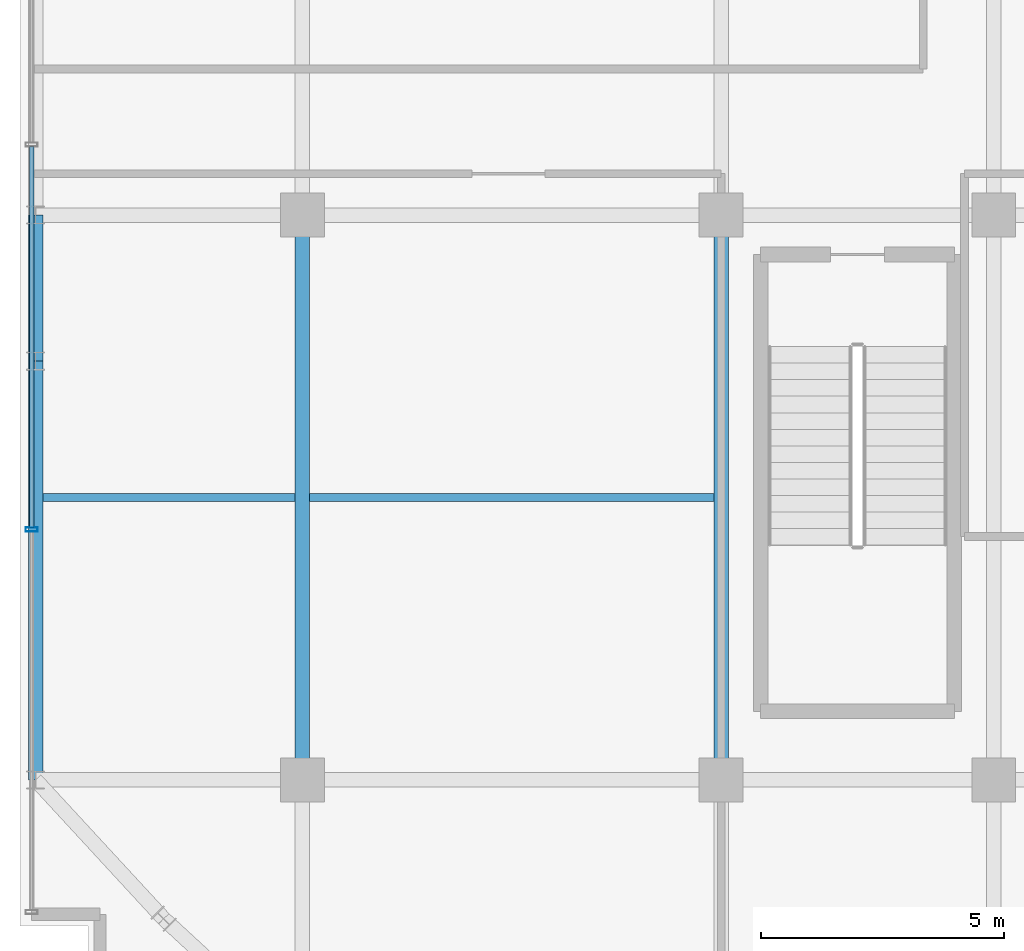
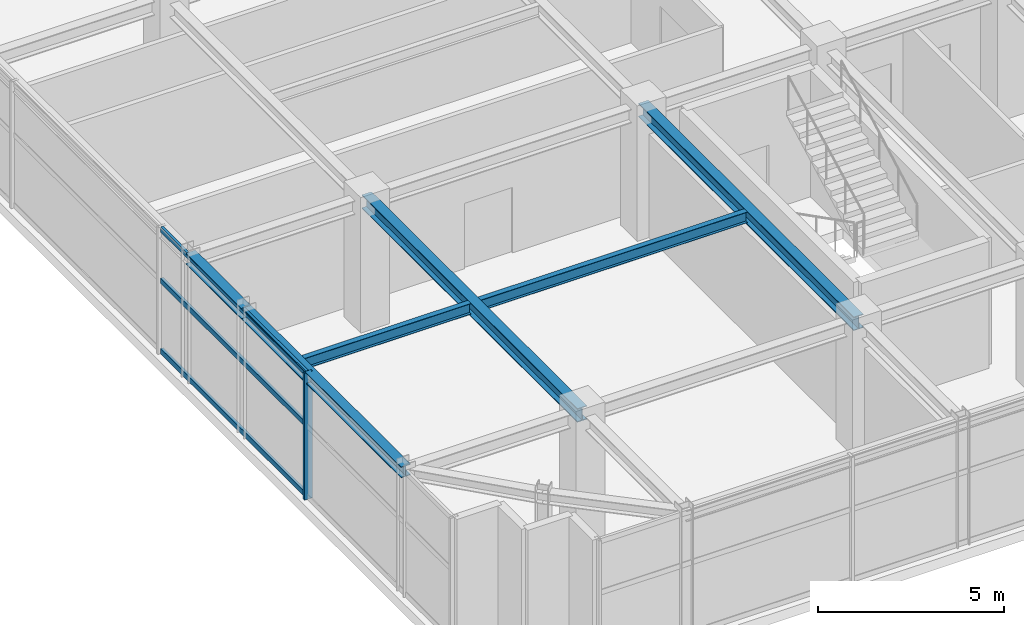
# One storey, part 5 of 20: 6 beams, 4 members, 1 element without a shape of its own.
"""IFC4 building model written with IfcOpenShell, lengths in metres."""

import ifcopenshell
import ifcopenshell.guid

model = None  # the IFC model being written
_history = None  # IfcOwnerHistory: only IFC2X3 demands one
_inside = {}  # id of a spatial element -> (the spatial element, [elements in it])
_under = {}  # id of a project, library or spatial element -> (it, [spatial elements below it])
_declared = {}  # id of a project -> (the project, [libraries it declares])
_typed = {}  # id of a type object -> (the type object, [elements of that type])
_made_of = {}  # id of a material, layer set ... -> (it, [elements and type objects made of it])


def new_model(schema):
    """Start an empty IFC model of exactly this schema.

    Asked for "IFC4X3", IfcOpenShell would pick the latest addendum, in which some entities
    have other attributes; the version numbers below select the first issue.
    IFC2X3 requires an IfcOwnerHistory on every rooted entity: one is made here for all.
    """
    global model, _history
    if schema == "IFC4X3":
        model = ifcopenshell.file(schema_version=(4, 3, 0, 0))
    else:
        model = ifcopenshell.file(schema=schema)
    _inside.clear()
    _under.clear()
    _declared.clear()
    _typed.clear()
    _made_of.clear()
    _history = None
    if model.schema == "IFC2X3":
        org = make("IfcOrganization", Name="unknown")
        user = make(
            "IfcPersonAndOrganization",
            ThePerson=make("IfcPerson", FamilyName="unknown"),
            TheOrganization=org,
        )
        app = make(
            "IfcApplication",
            ApplicationDeveloper=org,
            Version="unknown",
            ApplicationFullName="unknown",
            ApplicationIdentifier="unknown",
        )
        _history = make(
            "IfcOwnerHistory",
            OwningUser=user,
            OwningApplication=app,
            ChangeAction="ADDED",
            CreationDate=0,
        )
    return model


def make(cls, **values):
    """One entity of the class cls with the attributes given. An attribute that is None is left unset."""
    return model.create_entity(
        cls, **{name: value for name, value in values.items() if value is not None}
    )


def rooted(cls, **values):
    """An entity with a GlobalId (a new one), such as an element, a storey or a relation."""
    return make(cls, GlobalId=ifcopenshell.guid.new(), OwnerHistory=_history, **values)


def si_unit(unit_type, name, prefix=None):
    """IfcSIUnit, for example si_unit("LENGTHUNIT", "METRE", prefix="MILLI")."""
    return make("IfcSIUnit", UnitType=unit_type, Prefix=prefix, Name=name)


def assignment(units):
    """IfcUnitAssignment: the units of a project."""
    return None if units is None else make("IfcUnitAssignment", Units=units)


def point(xyz):
    """IfcCartesianPoint."""
    return None if xyz is None else make("IfcCartesianPoint", Coordinates=xyz)


def direction(xyz):
    """IfcDirection."""
    return None if xyz is None else make("IfcDirection", DirectionRatios=xyz)


def frame(location, z_axis=None, x_axis=None):
    """IfcAxis2Placement3D, a coordinate frame: its origin and axes. An axis left out is left unset."""
    return make(
        "IfcAxis2Placement3D",
        Location=point(location),
        Axis=direction(z_axis),
        RefDirection=direction(x_axis),
    )


def frame_2d(location, x_axis=None):
    """IfcAxis2Placement2D, a coordinate frame in the plane: its origin and x axis."""
    return make(
        "IfcAxis2Placement2D", Location=point(location), RefDirection=direction(x_axis)
    )


def origin():
    """The frame at (0, 0, 0) with its axes left unset."""
    return frame((0.0, 0.0, 0.0))


def origin_2d():
    """The frame at (0, 0) in the plane with its x axis left unset."""
    return frame_2d((0.0, 0.0))


def place(relative_to, where):
    """IfcLocalPlacement: puts the frame where relative to a parent placement (None: the world)."""
    return make(
        "IfcLocalPlacement", PlacementRelTo=relative_to, RelativePlacement=where
    )


def context(
    kind, dimensions, precision=None, world=None, true_north=None, identifier=None
):
    """IfcGeometricRepresentationContext, for example the 3D "Model" context."""
    return make(
        "IfcGeometricRepresentationContext",
        ContextIdentifier=identifier,
        ContextType=kind,
        CoordinateSpaceDimension=dimensions,
        Precision=precision,
        WorldCoordinateSystem=world,
        TrueNorth=true_north,
    )


def subcontext(parent, identifier, kind, view, scale=None):
    """IfcGeometricRepresentationSubContext, for example "Body" below "Model"."""
    return make(
        "IfcGeometricRepresentationSubContext",
        ContextIdentifier=identifier,
        ContextType=kind,
        ParentContext=parent,
        TargetScale=scale,
        TargetView=view,
    )


def project(units=None, contexts=None):
    """IfcProject with its units and contexts."""
    return rooted(
        "IfcProject",
        Name="project",
        RepresentationContexts=contexts,
        UnitsInContext=assignment(units),
    )


def spatial(cls, under=None, at=None, **own):
    """A site, building, storey or space (cls), placed at a placement, below another one or the project."""
    s = rooted(cls, ObjectPlacement=at, **own)
    if under is not None:
        _under.setdefault(under.id(), (under, []))[1].append(s)
    return s


def profile(cls, at=None, kind="AREA", **sizes):
    """A parametric profile (cls). Its sizes go by their IFC names, for example OverallWidth=200.0."""
    return make(cls, ProfileType=kind, Position=at, **sizes)


def hollow_rectangle(**sizes):
    """IfcRectangleHollowProfileDef."""
    return profile("IfcRectangleHollowProfileDef", **sizes)


def i_section(**sizes):
    """IfcIShapeProfileDef."""
    return profile("IfcIShapeProfileDef", **sizes)


def extrude(swept, where, along, depth):
    """IfcExtrudedAreaSolid: the profile swept, set in the frame where, extruded along a direction by depth."""
    return make(
        "IfcExtrudedAreaSolid",
        SweptArea=swept,
        Position=where,
        ExtrudedDirection=direction(along),
        Depth=depth,
    )


def shape(context_of_items, identifier, shape_type, items):
    """IfcShapeRepresentation: the items that make up one representation, for example the "Body"."""
    return make(
        "IfcShapeRepresentation",
        ContextOfItems=context_of_items,
        RepresentationIdentifier=identifier,
        RepresentationType=shape_type,
        Items=items,
    )


def source(mapping_origin, context_of_items, identifier, shape_type, items):
    """IfcRepresentationMap: a shape defined once, which mapped items show again and again."""
    return make(
        "IfcRepresentationMap",
        MappingOrigin=mapping_origin,
        MappedRepresentation=shape(context_of_items, identifier, shape_type, items),
    )


def transform(
    local_origin,
    x_axis=None,
    y_axis=None,
    z_axis=None,
    scale=None,
    scale2=None,
    scale3=None,
    uniform=True,
):
    """IfcCartesianTransformationOperator3D, or its non-uniform kind. x_axis, y_axis, z_axis: its Axis1, 2, 3."""
    if uniform:
        return make(
            "IfcCartesianTransformationOperator3D",
            Axis1=direction(x_axis),
            Axis2=direction(y_axis),
            LocalOrigin=point(local_origin),
            Scale=scale,
            Axis3=direction(z_axis),
        )
    return make(
        "IfcCartesianTransformationOperator3DnonUniform",
        Axis1=direction(x_axis),
        Axis2=direction(y_axis),
        LocalOrigin=point(local_origin),
        Scale=scale,
        Axis3=direction(z_axis),
        Scale2=scale2,
        Scale3=scale3,
    )


def mapped(mapping_source, mapping_target):
    """IfcMappedItem: shows the shape of a source again, moved by a transform."""
    return make(
        "IfcMappedItem", MappingSource=mapping_source, MappingTarget=mapping_target
    )


def material(Name=None, Category=None):
    """IfcMaterial."""
    return make("IfcMaterial", Name=Name, Category=Category)


def material_profile(
    of_material, cross_section, Name=None, Category=None, Priority=None
):
    """IfcMaterialProfile: a cross section and its material."""
    return make(
        "IfcMaterialProfile",
        Name=Name,
        Material=of_material,
        Profile=cross_section,
        Priority=Priority,
        Category=Category,
    )


def profile_set(profiles, Name=None, composite=None):
    """IfcMaterialProfileSet."""
    return make(
        "IfcMaterialProfileSet",
        Name=Name,
        MaterialProfiles=profiles,
        CompositeProfile=composite,
    )


def made_of(thing, what):
    """Note that an element or type object is made of a material, layer set ...; save() writes the relation."""
    if what is not None:
        _made_of.setdefault(what.id(), (what, []))[1].append(thing)
    return thing


def type_object(cls, material=None, **own):
    """A type object (cls), such as IfcWallType, which elements share."""
    return made_of(rooted(cls, **own), material)


def element(
    cls,
    number,
    at=None,
    inside=None,
    cuts=None,
    type_object=None,
    material=None,
    context=None,
    identifier="Body",
    shape_type=None,
    held_by="IfcProductDefinitionShape",
    body=None,
    shapes=None,
    **own,
):
    """One element of the class cls, such as IfcWall. Its Tag is "e" and its number.

    at: its placement. inside: the storey or other place that contains it. cuts: it is an
    opening in that element (IfcRelVoidsElement). A single representation is given by context,
    identifier, shape_type and body (its items); several are given by shapes. held_by: the class
    of the entity that holds the representations. save() writes the other relations.
    """
    e = rooted(cls, Tag="e%d" % number, ObjectPlacement=at, **own)
    if body is not None:
        shapes = [shape(context, identifier, shape_type, body)]
    if shapes is not None:
        e.Representation = make(held_by, Representations=shapes)
    if inside is not None:
        _inside.setdefault(inside.id(), (inside, []))[1].append(e)
    if cuts is not None:
        rooted(
            "IfcRelVoidsElement", RelatingBuildingElement=cuts, RelatedOpeningElement=e
        )
    if type_object is not None:
        _typed.setdefault(type_object.id(), (type_object, []))[1].append(e)
    return made_of(e, material)


def aggregate(whole, parts):
    """IfcRelAggregates: a whole, such as a stair, and the parts it consists of."""
    return rooted("IfcRelAggregates", RelatingObject=whole, RelatedObjects=parts)


def save(model, path):
    """Write the relations noted so far, then the file.

    IfcRelAggregates (storeys below a building ...), IfcRelContainedInSpatialStructure (elements
    in a storey), IfcRelDefinesByType, IfcRelAssociatesMaterial and IfcRelDeclares: one each for
    every whole, place, type object, material and project.
    """
    for whole, parts in _under.values():
        aggregate(whole, parts)
    for where, things in _inside.values():
        rooted(
            "IfcRelContainedInSpatialStructure",
            RelatedElements=things,
            RelatingStructure=where,
        )
    for kind, things in _typed.values():
        rooted("IfcRelDefinesByType", RelatedObjects=things, RelatingType=kind)
    for what, things in _made_of.values():
        rooted("IfcRelAssociatesMaterial", RelatedObjects=things, RelatingMaterial=what)
    for by, libraries in _declared.values():
        rooted("IfcRelDeclares", RelatingContext=by, RelatedDefinitions=libraries)
    model.write(path)


model = new_model("IFC4")

# Units and contexts
model_context = context("Model", 3, precision=1e-05, world=origin(), true_north=direction((0.0, 1.0)))
body_context = subcontext(model_context, "Body", "Model", "MODEL_VIEW")
ifc_project = project(units=[si_unit("LENGTHUNIT", "METRE"), si_unit("AREAUNIT", "SQUARE_METRE"), si_unit("VOLUMEUNIT", "CUBIC_METRE"), si_unit("PLANEANGLEUNIT", "RADIAN"), si_unit("MASSUNIT", "GRAM", prefix="KILO")], contexts=[model_context])

# Site, building, storey
site_placement = place(None, origin())
site = spatial("IfcSite", under=ifc_project, at=site_placement, CompositionType="ELEMENT")
building_placement = place(site_placement, origin())
building = spatial("IfcBuilding", under=site, at=building_placement, Name="Nahalor Promenade Grand Hotel", CompositionType="ELEMENT")
storey_placement = place(building_placement, frame((0.0, 0.0, 347.550048828125)))
storey = spatial("IfcBuildingStorey", under=building, at=storey_placement, Name="L89", CompositionType="ELEMENT", Elevation=347.550048828125)

# Beams
ifc_material_1 = material(Name="Steel S355JR", Category="steel")
ifc_material_profile_1 = material_profile(ifc_material_1, i_section(OverallWidth=0.3, OverallDepth=0.45, WebThickness=0.014, FlangeThickness=0.026, at=origin_2d()), Name="HEB 450")
ifc_profile_set_1 = profile_set([ifc_material_profile_1], Name="Steel S355JR")
beam_type_1 = type_object("IfcBeamType", Name="Beam-Girder-HEB450", PredefinedType="BEAM", material=ifc_profile_set_1)
shared_shape_1 = source(origin(), body_context, "Body", "SweptSolid", [
    extrude(i_section(OverallWidth=0.3, OverallDepth=0.45, WebThickness=0.014, FlangeThickness=0.026, at=origin_2d()), origin(), (0.0, 0.0, 1.0), 11.60009765625),
])
for number, where, z_axis, x_axis, name in (
    (1, (-17.0, -17.0, 3.945068359375), (0.0, 1.0, 0.0), (-1.0, 0.0, 0.0), "BM-L89-GY-0-1"),
    (2, (-8.39990234375, -17.0, 3.945068359375), (0.0, 1.0, 0.0), (-1.0, 0.0, 0.0), "BM-L89-GY-1-1"),
):
    element("IfcBeam", number, at=place(storey_placement, frame(where, z_axis=z_axis, x_axis=x_axis)), inside=storey, type_object=beam_type_1, Name=name, PredefinedType="BEAM", context=body_context, shape_type="MappedRepresentation", body=[
        mapped(shared_shape_1, transform((0.0, 0.0, 0.0), scale=1.0)),
    ])
ifc_material_profile_2 = material_profile(ifc_material_1, i_section(OverallWidth=0.3, OverallDepth=0.36, WebThickness=0.0125, FlangeThickness=0.0225, at=origin_2d()), Name="HEB 360")
ifc_profile_set_2 = profile_set([ifc_material_profile_2], Name="Steel S355JR")
beam_type_2 = type_object("IfcBeamType", Name="Beam-Spandrel-HEB360", PredefinedType="SPANDREL", material=ifc_profile_set_2)
shared_shape_2 = source(origin(), body_context, "Body", "SweptSolid", [
    extrude(i_section(OverallWidth=0.3, OverallDepth=0.36, WebThickness=0.0125, FlangeThickness=0.0225, at=origin_2d()), origin(), (0.0, 0.0, 1.0), 8.60009765625),
])
beam_1_placement = place(storey_placement, frame((-22.47998046875, -17.0, 3.989990234375), z_axis=(0.0, 1.0, 0.0), x_axis=(-1.0, 0.0, 0.0)))
element("IfcBeam", 3, at=beam_1_placement, inside=storey, type_object=beam_type_2, Name="BM-L89-SP-W-0", PredefinedType="SPANDREL", context=body_context, shape_type="MappedRepresentation", body=[
    mapped(shared_shape_2, transform((0.0, 0.0, 0.0), scale=1.0)),
])
shared_shape_3 = source(origin(), body_context, "Body", "SweptSolid", [
    extrude(i_section(OverallWidth=0.3, OverallDepth=0.36, WebThickness=0.0125, FlangeThickness=0.0225, at=origin_2d()), origin(), (0.0, 0.0, 1.0), 3.0),
])
beam_2_placement = place(storey_placement, frame((-22.47998046875, -8.39990234375, 3.989990234375), z_axis=(0.0, 1.0, 0.0), x_axis=(-1.0, 0.0, 0.0)))
element("IfcBeam", 4, at=beam_2_placement, inside=storey, type_object=beam_type_2, Name="BM-L89-SP-W-1", PredefinedType="SPANDREL", context=body_context, shape_type="MappedRepresentation", body=[
    mapped(shared_shape_3, transform((0.0, 0.0, 0.0), scale=1.0)),
])
ifc_material_profile_3 = material_profile(ifc_material_1, i_section(OverallWidth=0.17, OverallDepth=0.36, WebThickness=0.008, FlangeThickness=0.0127, at=origin_2d()), Name="IPE 360")
ifc_profile_set_3 = profile_set([ifc_material_profile_3], Name="Steel S355JR")
beam_type_3 = type_object("IfcBeamType", Name="Beam-Joist-IPE360", PredefinedType="JOIST", material=ifc_profile_set_3)
shared_shape_4 = source(origin(), body_context, "Body", "SweptSolid", [
    extrude(i_section(OverallWidth=0.17, OverallDepth=0.36, WebThickness=0.008, FlangeThickness=0.0127, at=origin_2d()), origin(), (0.0, 0.0, 1.0), 5.18017578125),
])
beam_3_placement = place(storey_placement, frame((-22.330078125, -11.199951171875, 3.989990234375), z_axis=(1.0, 0.0, 0.0), x_axis=(0.0, 1.0, 0.0)))
element("IfcBeam", 5, at=beam_3_placement, inside=storey, type_object=beam_type_3, Name="BM-L89-JSW-0-0", PredefinedType="JOIST", context=body_context, shape_type="MappedRepresentation", body=[
    mapped(shared_shape_4, transform((0.0, 0.0, 0.0), scale=1.0)),
])
shared_shape_5 = source(origin(), body_context, "Body", "SweptSolid", [
    extrude(i_section(OverallWidth=0.17, OverallDepth=0.36, WebThickness=0.008, FlangeThickness=0.0127, at=origin_2d()), origin(), (0.0, 0.0, 1.0), 8.300048828125),
])
beam_4_placement = place(storey_placement, frame((-16.85009765625, -11.199951171875, 3.989990234375), z_axis=(1.0, 0.0, 0.0), x_axis=(0.0, 1.0, 0.0)))
element("IfcBeam", 6, at=beam_4_placement, inside=storey, type_object=beam_type_3, Name="BM-L89-JSW-0-1", PredefinedType="JOIST", context=body_context, shape_type="MappedRepresentation", body=[
    mapped(shared_shape_5, transform((0.0, 0.0, 0.0), scale=1.0)),
])

# Curtain wall, members
ifc_material_2 = material(Name="Anodised Bronze Aluminium EN AW-6063 T6", Category="aluminium")
curtain_wall_type = type_object("IfcCurtainWallType", Name="CW5 Sky-Lobby & Observation Panoramic Curtain Wall", PredefinedType="USERDEFINED", material=ifc_material_2)
curtain_wall_placement = place(storey_placement, origin())
curtain_wall = element("IfcCurtainWall", 7, at=curtain_wall_placement, inside=storey, type_object=curtain_wall_type, Name="L89 Curtain Wall CW-L89-W-1", ObjectType="UNITISED_CURTAIN_WALL", PredefinedType="USERDEFINED")
ifc_material_profile_4 = material_profile(ifc_material_2, hollow_rectangle(XDim=0.085, YDim=0.25, WallThickness=0.006, at=origin_2d()), Name="CWM 85x250x6")
ifc_profile_set_4 = profile_set([ifc_material_profile_4], Name="Anodised Bronze Aluminium EN AW-6063 T6")
member_type_1 = type_object("IfcMemberType", Name="CWM5 Panoramic Deep Mullion 85x250", PredefinedType="MULLION", material=ifc_profile_set_4)
shared_shape_6 = source(origin(), body_context, "Body", "SweptSolid", [
    extrude(hollow_rectangle(XDim=0.085, YDim=0.25, WallThickness=0.006, at=origin_2d()), origin(), (0.0, 0.0, 1.0), 4.169921875),
])
member_1_placement = place(storey_placement, frame((-22.56005859375, -11.85595703125, 0.0), z_axis=(0.0, 0.0, 1.0), x_axis=(0.0, 1.0, 0.0)))
member_1 = element("IfcMember", 8, at=member_1_placement, type_object=member_type_1, Name="CW-L89-W-1 Mullion 1", PredefinedType="MULLION", context=body_context, shape_type="MappedRepresentation", body=[
    mapped(shared_shape_6, transform((0.0, 0.0, 0.0), scale=1.0)),
])
ifc_material_profile_5 = material_profile(ifc_material_2, hollow_rectangle(XDim=0.085, YDim=0.17, WallThickness=0.005, at=origin_2d()), Name="CWT 85x170x5")
ifc_profile_set_5 = profile_set([ifc_material_profile_5], Name="Anodised Bronze Aluminium EN AW-6063 T6")
member_type_2 = type_object("IfcMemberType", Name="CWT5 Panoramic Transom 85x170", PredefinedType="USERDEFINED", material=ifc_profile_set_5)
shared_shape_7 = source(origin(), body_context, "Body", "SweptSolid", [
    extrude(hollow_rectangle(XDim=0.085, YDim=0.17, WallThickness=0.005, at=origin_2d()), origin(), (0.0, 0.0, 1.0), 7.819091796875),
])
member_2_placement = place(storey_placement, frame((-22.56005859375, -11.8134765625, 0.0849609375), z_axis=(0.0, 1.0, 0.0), x_axis=(-1.0, 0.0, 0.0)))
member_2 = element("IfcMember", 9, at=member_2_placement, type_object=member_type_2, Name="CW-L89-W-1 Transom 1-0", ObjectType="TRANSOM", PredefinedType="USERDEFINED", context=body_context, shape_type="MappedRepresentation", body=[
    mapped(shared_shape_7, transform((0.0, 0.0, 0.0), scale=1.0)),
])
member_3_placement = place(storey_placement, frame((-22.56005859375, -11.8134765625, 2.39990234375), z_axis=(0.0, 1.0, 0.0), x_axis=(-1.0, 0.0, 0.0)))
member_3 = element("IfcMember", 10, at=member_3_placement, type_object=member_type_2, Name="CW-L89-W-1 Transom 1-1", ObjectType="TRANSOM", PredefinedType="USERDEFINED", context=body_context, shape_type="MappedRepresentation", body=[
    mapped(shared_shape_7, transform((0.0, 0.0, 0.0), scale=1.0)),
])
member_4_placement = place(storey_placement, frame((-22.56005859375, -11.8134765625, 4.0849609375), z_axis=(0.0, 1.0, 0.0), x_axis=(-1.0, 0.0, 0.0)))
member_4 = element("IfcMember", 11, at=member_4_placement, type_object=member_type_2, Name="CW-L89-W-1 Transom 1-2", ObjectType="TRANSOM", PredefinedType="USERDEFINED", context=body_context, shape_type="MappedRepresentation", body=[
    mapped(shared_shape_7, transform((0.0, 0.0, 0.0), scale=1.0)),
])
aggregate(curtain_wall, [member_1, member_2, member_3, member_4])

save(model, "model.ifc")
